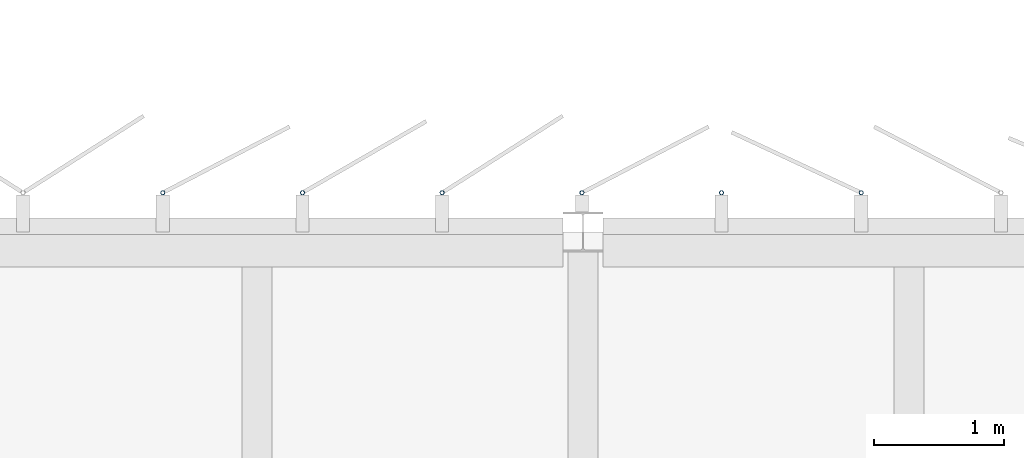
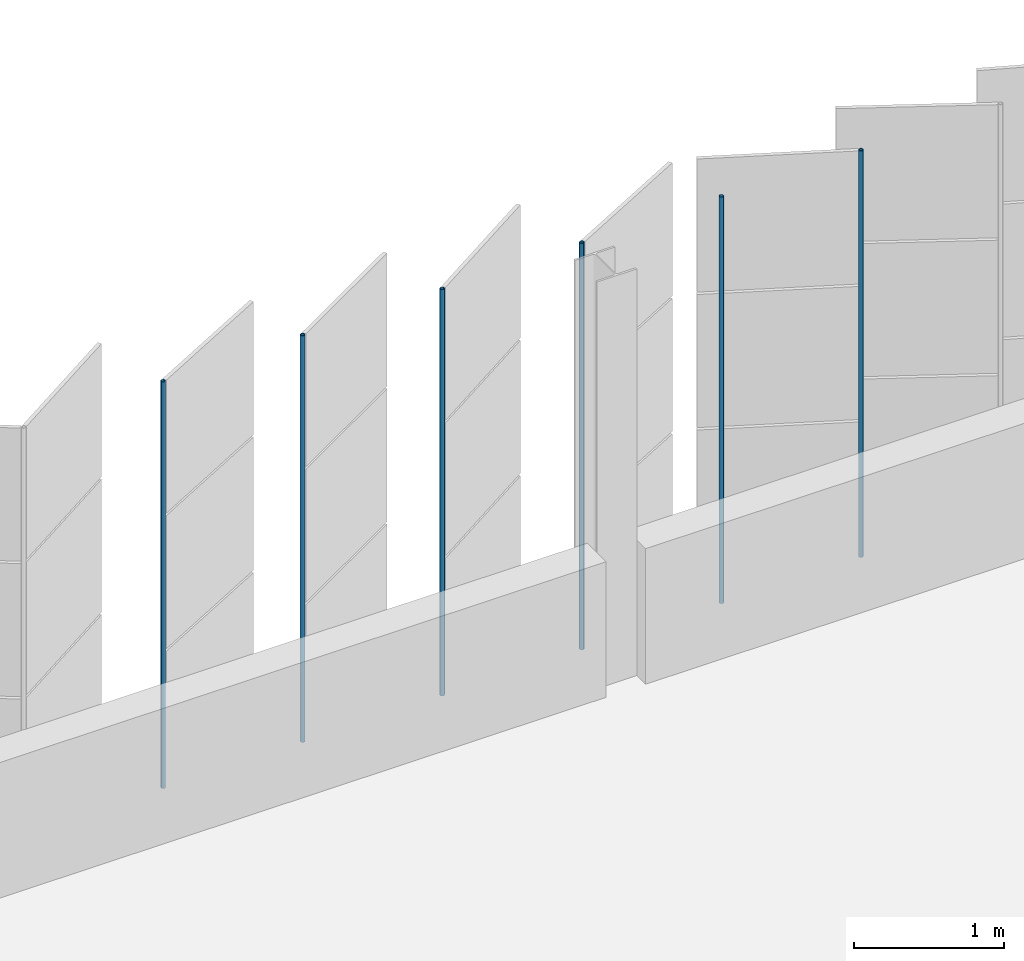
# One storey, part 142 of 199: 6 discrete accessories.
"""IFC4 building model written with IfcOpenShell, lengths in metres."""

import ifcopenshell
import ifcopenshell.guid

model = None  # the IFC model being written
_history = None  # IfcOwnerHistory: only IFC2X3 demands one
_inside = {}  # id of a spatial element -> (the spatial element, [elements in it])
_under = {}  # id of a project, library or spatial element -> (it, [spatial elements below it])
_declared = {}  # id of a project -> (the project, [libraries it declares])
_typed = {}  # id of a type object -> (the type object, [elements of that type])
_made_of = {}  # id of a material, layer set ... -> (it, [elements and type objects made of it])


def new_model(schema):
    """Start an empty IFC model of exactly this schema.

    Asked for "IFC4X3", IfcOpenShell would pick the latest addendum, in which some entities
    have other attributes; the version numbers below select the first issue.
    IFC2X3 requires an IfcOwnerHistory on every rooted entity: one is made here for all.
    """
    global model, _history
    if schema == "IFC4X3":
        model = ifcopenshell.file(schema_version=(4, 3, 0, 0))
    else:
        model = ifcopenshell.file(schema=schema)
    _inside.clear()
    _under.clear()
    _declared.clear()
    _typed.clear()
    _made_of.clear()
    _history = None
    if model.schema == "IFC2X3":
        org = make("IfcOrganization", Name="unknown")
        user = make(
            "IfcPersonAndOrganization",
            ThePerson=make("IfcPerson", FamilyName="unknown"),
            TheOrganization=org,
        )
        app = make(
            "IfcApplication",
            ApplicationDeveloper=org,
            Version="unknown",
            ApplicationFullName="unknown",
            ApplicationIdentifier="unknown",
        )
        _history = make(
            "IfcOwnerHistory",
            OwningUser=user,
            OwningApplication=app,
            ChangeAction="ADDED",
            CreationDate=0,
        )
    return model


def make(cls, **values):
    """One entity of the class cls with the attributes given. An attribute that is None is left unset."""
    return model.create_entity(
        cls, **{name: value for name, value in values.items() if value is not None}
    )


def rooted(cls, **values):
    """An entity with a GlobalId (a new one), such as an element, a storey or a relation."""
    return make(cls, GlobalId=ifcopenshell.guid.new(), OwnerHistory=_history, **values)


def si_unit(unit_type, name, prefix=None):
    """IfcSIUnit, for example si_unit("LENGTHUNIT", "METRE", prefix="MILLI")."""
    return make("IfcSIUnit", UnitType=unit_type, Prefix=prefix, Name=name)


def assignment(units):
    """IfcUnitAssignment: the units of a project."""
    return None if units is None else make("IfcUnitAssignment", Units=units)


def point(xyz):
    """IfcCartesianPoint."""
    return None if xyz is None else make("IfcCartesianPoint", Coordinates=xyz)


def direction(xyz):
    """IfcDirection."""
    return None if xyz is None else make("IfcDirection", DirectionRatios=xyz)


def frame(location, z_axis=None, x_axis=None):
    """IfcAxis2Placement3D, a coordinate frame: its origin and axes. An axis left out is left unset."""
    return make(
        "IfcAxis2Placement3D",
        Location=point(location),
        Axis=direction(z_axis),
        RefDirection=direction(x_axis),
    )


def frame_2d(location, x_axis=None):
    """IfcAxis2Placement2D, a coordinate frame in the plane: its origin and x axis."""
    return make(
        "IfcAxis2Placement2D", Location=point(location), RefDirection=direction(x_axis)
    )


def origin():
    """The frame at (0, 0, 0) with its axes left unset."""
    return frame((0.0, 0.0, 0.0))


def origin_2d():
    """The frame at (0, 0) in the plane with its x axis left unset."""
    return frame_2d((0.0, 0.0))


def place(relative_to, where):
    """IfcLocalPlacement: puts the frame where relative to a parent placement (None: the world)."""
    return make(
        "IfcLocalPlacement", PlacementRelTo=relative_to, RelativePlacement=where
    )


def context(
    kind, dimensions, precision=None, world=None, true_north=None, identifier=None
):
    """IfcGeometricRepresentationContext, for example the 3D "Model" context."""
    return make(
        "IfcGeometricRepresentationContext",
        ContextIdentifier=identifier,
        ContextType=kind,
        CoordinateSpaceDimension=dimensions,
        Precision=precision,
        WorldCoordinateSystem=world,
        TrueNorth=true_north,
    )


def subcontext(parent, identifier, kind, view, scale=None):
    """IfcGeometricRepresentationSubContext, for example "Body" below "Model"."""
    return make(
        "IfcGeometricRepresentationSubContext",
        ContextIdentifier=identifier,
        ContextType=kind,
        ParentContext=parent,
        TargetScale=scale,
        TargetView=view,
    )


def project(units=None, contexts=None):
    """IfcProject with its units and contexts."""
    return rooted(
        "IfcProject",
        Name="project",
        RepresentationContexts=contexts,
        UnitsInContext=assignment(units),
    )


def spatial(cls, under=None, at=None, **own):
    """A site, building, storey or space (cls), placed at a placement, below another one or the project."""
    s = rooted(cls, ObjectPlacement=at, **own)
    if under is not None:
        _under.setdefault(under.id(), (under, []))[1].append(s)
    return s


def profile(cls, at=None, kind="AREA", **sizes):
    """A parametric profile (cls). Its sizes go by their IFC names, for example OverallWidth=200.0."""
    return make(cls, ProfileType=kind, Position=at, **sizes)


def hollow_circle(**sizes):
    """IfcCircleHollowProfileDef."""
    return profile("IfcCircleHollowProfileDef", **sizes)


def extrude(swept, where, along, depth):
    """IfcExtrudedAreaSolid: the profile swept, set in the frame where, extruded along a direction by depth."""
    return make(
        "IfcExtrudedAreaSolid",
        SweptArea=swept,
        Position=where,
        ExtrudedDirection=direction(along),
        Depth=depth,
    )


def shape(context_of_items, identifier, shape_type, items):
    """IfcShapeRepresentation: the items that make up one representation, for example the "Body"."""
    return make(
        "IfcShapeRepresentation",
        ContextOfItems=context_of_items,
        RepresentationIdentifier=identifier,
        RepresentationType=shape_type,
        Items=items,
    )


def material(Name=None, Category=None):
    """IfcMaterial."""
    return make("IfcMaterial", Name=Name, Category=Category)


def material_profile(
    of_material, cross_section, Name=None, Category=None, Priority=None
):
    """IfcMaterialProfile: a cross section and its material."""
    return make(
        "IfcMaterialProfile",
        Name=Name,
        Material=of_material,
        Profile=cross_section,
        Priority=Priority,
        Category=Category,
    )


def profile_set(profiles, Name=None, composite=None):
    """IfcMaterialProfileSet."""
    return make(
        "IfcMaterialProfileSet",
        Name=Name,
        MaterialProfiles=profiles,
        CompositeProfile=composite,
    )


def made_of(thing, what):
    """Note that an element or type object is made of a material, layer set ...; save() writes the relation."""
    if what is not None:
        _made_of.setdefault(what.id(), (what, []))[1].append(thing)
    return thing


def type_object(cls, material=None, **own):
    """A type object (cls), such as IfcWallType, which elements share."""
    return made_of(rooted(cls, **own), material)


def element(
    cls,
    number,
    at=None,
    inside=None,
    cuts=None,
    type_object=None,
    material=None,
    context=None,
    identifier="Body",
    shape_type=None,
    held_by="IfcProductDefinitionShape",
    body=None,
    shapes=None,
    **own,
):
    """One element of the class cls, such as IfcWall. Its Tag is "e" and its number.

    at: its placement. inside: the storey or other place that contains it. cuts: it is an
    opening in that element (IfcRelVoidsElement). A single representation is given by context,
    identifier, shape_type and body (its items); several are given by shapes. held_by: the class
    of the entity that holds the representations. save() writes the other relations.
    """
    e = rooted(cls, Tag="e%d" % number, ObjectPlacement=at, **own)
    if body is not None:
        shapes = [shape(context, identifier, shape_type, body)]
    if shapes is not None:
        e.Representation = make(held_by, Representations=shapes)
    if inside is not None:
        _inside.setdefault(inside.id(), (inside, []))[1].append(e)
    if cuts is not None:
        rooted(
            "IfcRelVoidsElement", RelatingBuildingElement=cuts, RelatedOpeningElement=e
        )
    if type_object is not None:
        _typed.setdefault(type_object.id(), (type_object, []))[1].append(e)
    return made_of(e, material)


def aggregate(whole, parts):
    """IfcRelAggregates: a whole, such as a stair, and the parts it consists of."""
    return rooted("IfcRelAggregates", RelatingObject=whole, RelatedObjects=parts)


def save(model, path):
    """Write the relations noted so far, then the file.

    IfcRelAggregates (storeys below a building ...), IfcRelContainedInSpatialStructure (elements
    in a storey), IfcRelDefinesByType, IfcRelAssociatesMaterial and IfcRelDeclares: one each for
    every whole, place, type object, material and project.
    """
    for whole, parts in _under.values():
        aggregate(whole, parts)
    for where, things in _inside.values():
        rooted(
            "IfcRelContainedInSpatialStructure",
            RelatedElements=things,
            RelatingStructure=where,
        )
    for kind, things in _typed.values():
        rooted("IfcRelDefinesByType", RelatedObjects=things, RelatingType=kind)
    for what, things in _made_of.values():
        rooted("IfcRelAssociatesMaterial", RelatedObjects=things, RelatingMaterial=what)
    for by, libraries in _declared.values():
        rooted("IfcRelDeclares", RelatingContext=by, RelatedDefinitions=libraries)
    model.write(path)


model = new_model("IFC4")

# Units and contexts
model_context = context("Model", 3, precision=1e-05, world=origin(), true_north=direction((0.0, 1.0)))
body_context = subcontext(model_context, "Body", "Model", "MODEL_VIEW")
ifc_project = project(units=[si_unit("LENGTHUNIT", "METRE"), si_unit("AREAUNIT", "SQUARE_METRE"), si_unit("VOLUMEUNIT", "CUBIC_METRE"), si_unit("PLANEANGLEUNIT", "RADIAN"), si_unit("MASSUNIT", "GRAM", prefix="KILO")], contexts=[model_context])

# Site, building, storey
site_placement = place(None, origin())
site = spatial("IfcSite", under=ifc_project, at=site_placement, CompositionType="ELEMENT")
building_placement = place(site_placement, origin())
building = spatial("IfcBuilding", under=site, at=building_placement, Name="Parallax Yard Mobility Hub", CompositionType="ELEMENT")
storey_placement = place(building_placement, frame((0.0, 0.0, 9.89990234375)))
storey = spatial("IfcBuildingStorey", under=building, at=storey_placement, Name="L03", CompositionType="ELEMENT", Elevation=9.89990234375)

# Discrete accessories
ifc_material = material(Name="Steel ASTM A500 Gr C, hot-dip galvanised", Category="steel")
ifc_material_profile = material_profile(ifc_material, hollow_circle(Radius=0.016845703125, WallThickness=0.003173828125, at=origin_2d()), Name="CHS 33.7x3.2")
ifc_profile_set = profile_set([ifc_material_profile], Name="Steel ASTM A500 Gr C, hot-dip galvanised")
discrete_accessory_type = type_object("IfcDiscreteAccessoryType", Name="Hinge post CHS 33.7x3.2", PredefinedType="BRACKET", material=ifc_profile_set)
for number, where, z_axis, x_axis, name in (
    (1, (84.63427734375, 142.800048828125, 0.0), (0.0, 0.0, 1.0), (1.0, 0.0, 0.0), "Hinge post bay 62.6 level L03"),
    (2, (83.562744140625, 142.800048828125, 0.0), (0.0, 0.0, 1.0), (1.0, 0.0, 0.0), "Hinge post bay 62.7 level L03"),
    (3, (82.4912109375, 142.800048828125, 0.0), (0.0, 0.0, 1.0), (1.0, 0.0, 0.0), "Hinge post bay 63.1 level L03"),
    (4, (81.419677734375, 142.800048828125, 0.0), (0.0, 0.0, 1.0), (1.0, 0.0, 0.0), "Hinge post bay 63.2 level L03"),
    (5, (80.34814453125, 142.800048828125, 0.0), (0.0, 0.0, 1.0), (1.0, 0.0, 0.0), "Hinge post bay 63.3 level L03"),
    (6, (79.276611328125, 142.800048828125, 0.0), (0.0, 0.0, 1.0), (1.0, 0.0, 0.0), "Hinge post bay 63.4 level L03"),
):
    element("IfcDiscreteAccessory", number, at=place(storey_placement, frame(where, z_axis=z_axis, x_axis=x_axis)), inside=storey, type_object=discrete_accessory_type, Name=name, PredefinedType="BRACKET", context=body_context, shape_type="SweptSolid", body=[
        extrude(hollow_circle(Radius=0.016845703125, WallThickness=0.003173828125, at=origin_2d()), origin(), (0.0, 0.0, 1.0), 3.300048828125),
    ])

save(model, "model.ifc")
